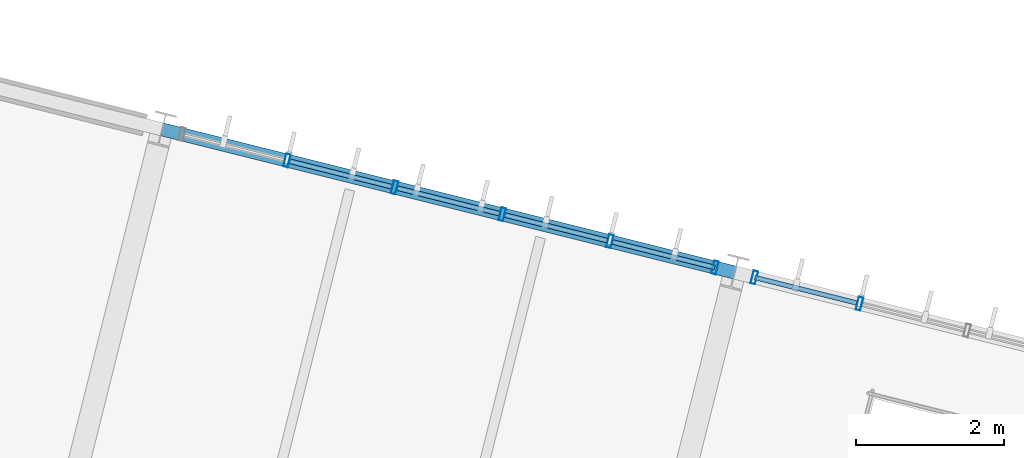
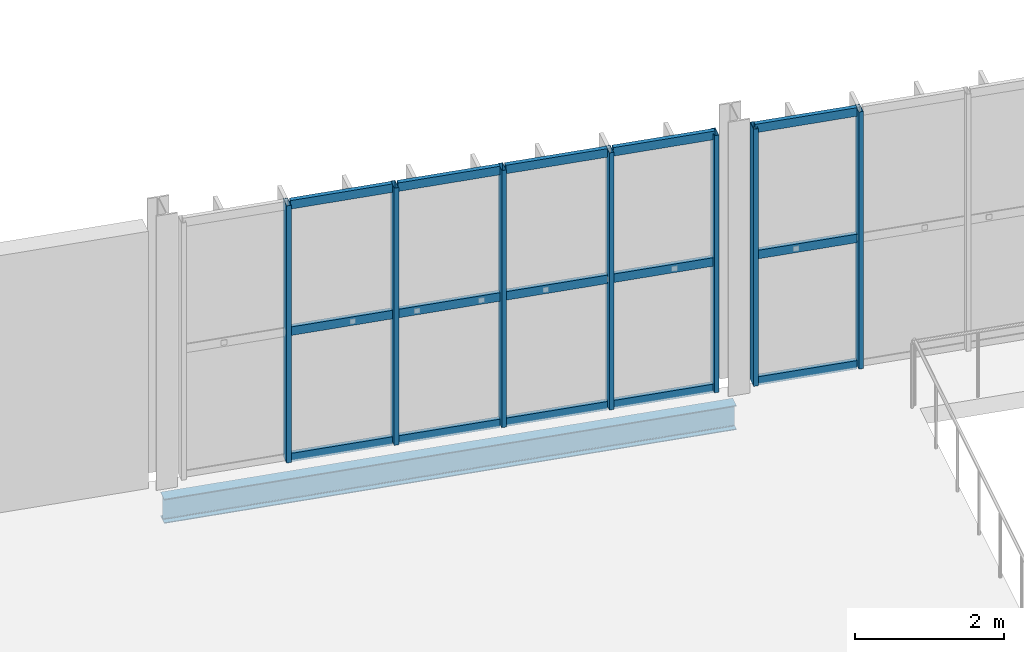
# One storey, part 82 of 152: 22 members, 1 beam, 2 elements without a shape of their own.
"""IFC4 building model written with IfcOpenShell, lengths in metres."""

from ifc_helpers import new_model, si_unit, derived_unit, direction, frame, origin, origin_2d, place, context, subcontext, project, spatial, hollow_rectangle, i_section, extrude, material, material_profile, profile_set, type_object, element, aggregate, save


model = new_model("IFC4")

# Units and contexts
model_context = context("Model", 3, precision=1e-05, world=origin(), true_north=direction((0.0, 1.0)))
body_context = subcontext(model_context, "Body", "Model", "MODEL_VIEW")
ifc_project = project(units=[si_unit("LENGTHUNIT", "METRE"), si_unit("AREAUNIT", "SQUARE_METRE"), si_unit("VOLUMEUNIT", "CUBIC_METRE"), si_unit("PLANEANGLEUNIT", "RADIAN"), si_unit("MASSUNIT", "GRAM", prefix="KILO"), si_unit("THERMODYNAMICTEMPERATUREUNIT", "KELVIN"), si_unit("TIMEUNIT", "SECOND"), derived_unit("THERMALTRANSMITTANCEUNIT", [(si_unit("MASSUNIT", "GRAM", prefix="KILO"), 1), (si_unit("THERMODYNAMICTEMPERATUREUNIT", "KELVIN"), -1), (si_unit("TIMEUNIT", "SECOND"), -3)])], contexts=[model_context])

# Site, building, storey
site_placement = place(None, origin())
site = spatial("IfcSite", under=ifc_project, at=site_placement, CompositionType="ELEMENT")
building_placement = place(site_placement, origin())
building = spatial("IfcBuilding", under=site, at=building_placement, Name="Cambertide Market Hall", CompositionType="ELEMENT")
storey_placement = place(building_placement, frame((0.0, 0.0, 5.39990234375)))
storey = spatial("IfcBuildingStorey", under=building, at=storey_placement, Name="L02", CompositionType="ELEMENT", Elevation=5.39990234375)

# Curtain wall, members
ifc_material_1 = material(Name="Marine Anodized Aluminium 6063-T6 AA25", Category="aluminium")
curtain_wall_type = type_object("IfcCurtainWallType", Name="Culinary Teaching Kitchen Curtain Wall", PredefinedType="USERDEFINED", material=ifc_material_1)
curtain_wall_1_placement = place(storey_placement, origin())
curtain_wall_1 = element("IfcCurtainWall", 1, at=curtain_wall_1_placement, inside=storey, type_object=curtain_wall_type, Name="Level 2 Curtain Wall CW-V4N-L02-2", ObjectType="UNITIZED CURTAIN WALL", PredefinedType="USERDEFINED")
ifc_material_2 = material(Name="Champagne Marine Anodized Aluminium 6063-T6 AA25", Category="aluminium")
ifc_material_profile_1 = material_profile(ifc_material_2, hollow_rectangle(XDim=0.06494140625, YDim=0.179931640625, WallThickness=0.00390625, at=origin_2d()), Name="ALU MULLION 65x180")
ifc_profile_set_1 = profile_set([ifc_material_profile_1], Name="Champagne Marine Anodized Aluminium 6063-T6 AA25")
member_type_1 = type_object("IfcMemberType", Name="Curtain Wall Mullion ALU MULLION 65x180", PredefinedType="MULLION", material=ifc_profile_set_1)
member_1_placement = place(storey_placement, frame((124.00146484375, 123.83056640625, 0.0), z_axis=(0.0, 0.0, 1.0), x_axis=(0.970142500145, -0.242535625038, 0.0)))
member_1 = element("IfcMember", 2, at=member_1_placement, type_object=member_type_1, Name="CW-V4N-L02-2 Mullion 2", PredefinedType="MULLION", context=body_context, shape_type="SweptSolid", body=[
    extrude(hollow_rectangle(XDim=0.06494140625, YDim=0.179931640625, WallThickness=0.00390625, at=origin_2d()), origin(), (0.0, 0.0, 1.0), 4.22021484375),
])
member_2_placement = place(storey_placement, frame((125.460693359375, 123.4658203125, 0.0), z_axis=(0.0, 0.0, 1.0), x_axis=(0.970142500145, -0.242535625038, 0.0)))
member_2 = element("IfcMember", 3, at=member_2_placement, type_object=member_type_1, Name="CW-V4N-L02-2 Mullion 3", PredefinedType="MULLION", context=body_context, shape_type="SweptSolid", body=[
    extrude(hollow_rectangle(XDim=0.06494140625, YDim=0.179931640625, WallThickness=0.00390625, at=origin_2d()), origin(), (0.0, 0.0, 1.0), 4.22021484375),
])
member_3_placement = place(storey_placement, frame((126.919677734375, 123.10107421875, 0.0), z_axis=(0.0, 0.0, 1.0), x_axis=(0.970142500145, -0.242535625038, 0.0)))
member_3 = element("IfcMember", 4, at=member_3_placement, type_object=member_type_1, Name="CW-V4N-L02-2 Mullion 4", PredefinedType="MULLION", context=body_context, shape_type="SweptSolid", body=[
    extrude(hollow_rectangle(XDim=0.06494140625, YDim=0.179931640625, WallThickness=0.00390625, at=origin_2d()), origin(), (0.0, 0.0, 1.0), 4.22021484375),
])
member_4_placement = place(storey_placement, frame((128.37890625, 122.736328125, 0.0), z_axis=(0.0, 0.0, 1.0), x_axis=(0.970142500145, -0.242535625038, 0.0)))
member_4 = element("IfcMember", 5, at=member_4_placement, type_object=member_type_1, Name="CW-V4N-L02-2 Mullion 5", PredefinedType="MULLION", context=body_context, shape_type="SweptSolid", body=[
    extrude(hollow_rectangle(XDim=0.06494140625, YDim=0.179931640625, WallThickness=0.00390625, at=origin_2d()), origin(), (0.0, 0.0, 1.0), 4.22021484375),
])
member_5_placement = place(storey_placement, frame((129.803955078125, 122.3798828125, 0.0), z_axis=(0.0, 0.0, 1.0), x_axis=(0.970142500145, -0.242535625038, 0.0)))
member_5 = element("IfcMember", 6, at=member_5_placement, type_object=member_type_1, Name="CW-V4N-L02-2 Mullion 6", PredefinedType="MULLION", context=body_context, shape_type="SweptSolid", body=[
    extrude(hollow_rectangle(XDim=0.06494140625, YDim=0.179931640625, WallThickness=0.00390625, at=origin_2d()), origin(), (0.0, 0.0, 1.0), 4.22021484375),
])

curtain_wall_2_placement = place(storey_placement, origin())
curtain_wall_2 = element("IfcCurtainWall", 7, at=curtain_wall_2_placement, inside=storey, type_object=curtain_wall_type, Name="Level 2 Curtain Wall CW-V4N-L02-3", ObjectType="UNITIZED CURTAIN WALL", PredefinedType="USERDEFINED")
member_6_placement = place(storey_placement, frame((130.337646484375, 122.24658203125, 0.0), z_axis=(0.0, 0.0, 1.0), x_axis=(0.970142500145, -0.242535625038, 0.0)))
member_6 = element("IfcMember", 8, at=member_6_placement, type_object=member_type_1, Name="CW-V4N-L02-3 Mullion 1", PredefinedType="MULLION", context=body_context, shape_type="SweptSolid", body=[
    extrude(hollow_rectangle(XDim=0.06494140625, YDim=0.179931640625, WallThickness=0.00390625, at=origin_2d()), origin(), (0.0, 0.0, 1.0), 4.22021484375),
])
member_7_placement = place(storey_placement, frame((131.7626953125, 121.890380859375, 0.0), z_axis=(0.0, 0.0, 1.0), x_axis=(0.970142500145, -0.242535625038, 0.0)))
member_7 = element("IfcMember", 9, at=member_7_placement, type_object=member_type_1, Name="CW-V4N-L02-3 Mullion 2", PredefinedType="MULLION", context=body_context, shape_type="SweptSolid", body=[
    extrude(hollow_rectangle(XDim=0.06494140625, YDim=0.179931640625, WallThickness=0.00390625, at=origin_2d()), origin(), (0.0, 0.0, 1.0), 4.22021484375),
])

# Member
ifc_material_3 = material(Name="Champagne Marine Anodized Aluminium 6063-T6 AA25", Category="aluminium")
ifc_material_profile_2 = material_profile(ifc_material_3, hollow_rectangle(XDim=0.06494140625, YDim=0.139892578125, WallThickness=0.00341796875, at=origin_2d()), Name="ALU TRANSOM 65x140")
ifc_profile_set_2 = profile_set([ifc_material_profile_2], Name="Champagne Marine Anodized Aluminium 6063-T6 AA25")
member_type_2 = type_object("IfcMemberType", Name="Curtain Wall Transom ALU TRANSOM 65x140", PredefinedType="USERDEFINED", material=ifc_profile_set_2)
member_8_placement = place(storey_placement, frame((124.040283203125, 123.82080078125, 0.03515625), z_axis=(0.970172746521, -0.242414607454, 0.0), x_axis=(0.242414607454, 0.970172746521, 0.0)))
member_8 = element("IfcMember", 10, at=member_8_placement, type_object=member_type_2, Name="CW-V4N-L02-2 Transom 1-2", ObjectType="TRANSOM", PredefinedType="USERDEFINED", context=body_context, shape_type="SweptSolid", body=[
    extrude(hollow_rectangle(XDim=0.06494140625, YDim=0.139892578125, WallThickness=0.00341796875, at=origin_2d()), origin(), (0.0, 0.0, 1.0), 1.424072265625),
])

member_9_placement = place(storey_placement, frame((125.49951171875, 123.4560546875, 0.03515625), z_axis=(0.970162669427, -0.242454933646, 0.0), x_axis=(0.242454933646, 0.970162669427, 0.0)))
member_9 = element("IfcMember", 11, at=member_9_placement, type_object=member_type_2, Name="CW-V4N-L02-2 Transom 1-3", ObjectType="TRANSOM", PredefinedType="USERDEFINED", context=body_context, shape_type="SweptSolid", body=[
    extrude(hollow_rectangle(XDim=0.06494140625, YDim=0.139892578125, WallThickness=0.00341796875, at=origin_2d()), origin(), (0.0, 0.0, 1.0), 1.423828125),
])

member_10_placement = place(storey_placement, frame((126.95849609375, 123.09130859375, 0.03515625), z_axis=(0.970132415085, -0.242575961715, 0.0), x_axis=(0.242575961715, 0.970132415085, 0.0)))
member_10 = element("IfcMember", 12, at=member_10_placement, type_object=member_type_2, Name="CW-V4N-L02-2 Transom 1-4", ObjectType="TRANSOM", PredefinedType="USERDEFINED", context=body_context, shape_type="SweptSolid", body=[
    extrude(hollow_rectangle(XDim=0.06494140625, YDim=0.139892578125, WallThickness=0.00341796875, at=origin_2d()), origin(), (0.0, 0.0, 1.0), 1.424072265625),
])

member_11_placement = place(storey_placement, frame((128.417724609375, 122.7265625, 0.03515625), z_axis=(0.970122324991, -0.242616311393, 0.0), x_axis=(0.242616311393, 0.970122324991, 0.0)))
member_11 = element("IfcMember", 13, at=member_11_placement, type_object=member_type_2, Name="CW-V4N-L02-2 Transom 1-5", ObjectType="TRANSOM", PredefinedType="USERDEFINED", context=body_context, shape_type="SweptSolid", body=[
    extrude(hollow_rectangle(XDim=0.06494140625, YDim=0.139892578125, WallThickness=0.00341796875, at=origin_2d()), origin(), (0.0, 0.0, 1.0), 1.423828125),
])

member_12_placement = place(storey_placement, frame((124.040283203125, 123.82080078125, 2.110107421875), z_axis=(0.970172746521, -0.242414607454, 0.0), x_axis=(0.242414607454, 0.970172746521, 0.0)))
member_12 = element("IfcMember", 14, at=member_12_placement, type_object=member_type_2, Name="CW-V4N-L02-2 Transom 2-2", ObjectType="TRANSOM", PredefinedType="USERDEFINED", context=body_context, shape_type="SweptSolid", body=[
    extrude(hollow_rectangle(XDim=0.06494140625, YDim=0.139892578125, WallThickness=0.00341796875, at=origin_2d()), origin(), (0.0, 0.0, 1.0), 1.424072265625),
])

member_13_placement = place(storey_placement, frame((125.49951171875, 123.4560546875, 2.110107421875), z_axis=(0.970162669427, -0.242454933646, 0.0), x_axis=(0.242454933646, 0.970162669427, 0.0)))
member_13 = element("IfcMember", 15, at=member_13_placement, type_object=member_type_2, Name="CW-V4N-L02-2 Transom 2-3", ObjectType="TRANSOM", PredefinedType="USERDEFINED", context=body_context, shape_type="SweptSolid", body=[
    extrude(hollow_rectangle(XDim=0.06494140625, YDim=0.139892578125, WallThickness=0.00341796875, at=origin_2d()), origin(), (0.0, 0.0, 1.0), 1.423828125),
])

member_14_placement = place(storey_placement, frame((126.95849609375, 123.09130859375, 2.110107421875), z_axis=(0.970132415085, -0.242575961715, 0.0), x_axis=(0.242575961715, 0.970132415085, 0.0)))
member_14 = element("IfcMember", 16, at=member_14_placement, type_object=member_type_2, Name="CW-V4N-L02-2 Transom 2-4", ObjectType="TRANSOM", PredefinedType="USERDEFINED", context=body_context, shape_type="SweptSolid", body=[
    extrude(hollow_rectangle(XDim=0.06494140625, YDim=0.139892578125, WallThickness=0.00341796875, at=origin_2d()), origin(), (0.0, 0.0, 1.0), 1.424072265625),
])

member_15_placement = place(storey_placement, frame((128.417724609375, 122.7265625, 2.110107421875), z_axis=(0.970122324991, -0.242616311393, 0.0), x_axis=(0.242616311393, 0.970122324991, 0.0)))
member_15 = element("IfcMember", 17, at=member_15_placement, type_object=member_type_2, Name="CW-V4N-L02-2 Transom 2-5", ObjectType="TRANSOM", PredefinedType="USERDEFINED", context=body_context, shape_type="SweptSolid", body=[
    extrude(hollow_rectangle(XDim=0.06494140625, YDim=0.139892578125, WallThickness=0.00341796875, at=origin_2d()), origin(), (0.0, 0.0, 1.0), 1.423828125),
])

member_16_placement = place(storey_placement, frame((124.040283203125, 123.82080078125, 4.18505859375), z_axis=(0.970172746521, -0.242414607454, 0.0), x_axis=(0.242414607454, 0.970172746521, 0.0)))
member_16 = element("IfcMember", 18, at=member_16_placement, type_object=member_type_2, Name="CW-V4N-L02-2 Transom 3-2", ObjectType="TRANSOM", PredefinedType="USERDEFINED", context=body_context, shape_type="SweptSolid", body=[
    extrude(hollow_rectangle(XDim=0.06494140625, YDim=0.139892578125, WallThickness=0.00341796875, at=origin_2d()), origin(), (0.0, 0.0, 1.0), 1.424072265625),
])

member_17_placement = place(storey_placement, frame((125.49951171875, 123.4560546875, 4.18505859375), z_axis=(0.970162669427, -0.242454933646, 0.0), x_axis=(0.242454933646, 0.970162669427, 0.0)))
member_17 = element("IfcMember", 19, at=member_17_placement, type_object=member_type_2, Name="CW-V4N-L02-2 Transom 3-3", ObjectType="TRANSOM", PredefinedType="USERDEFINED", context=body_context, shape_type="SweptSolid", body=[
    extrude(hollow_rectangle(XDim=0.06494140625, YDim=0.139892578125, WallThickness=0.00341796875, at=origin_2d()), origin(), (0.0, 0.0, 1.0), 1.423828125),
])

member_18_placement = place(storey_placement, frame((126.95849609375, 123.09130859375, 4.18505859375), z_axis=(0.970132415085, -0.242575961715, 0.0), x_axis=(0.242575961715, 0.970132415085, 0.0)))
member_18 = element("IfcMember", 20, at=member_18_placement, type_object=member_type_2, Name="CW-V4N-L02-2 Transom 3-4", ObjectType="TRANSOM", PredefinedType="USERDEFINED", context=body_context, shape_type="SweptSolid", body=[
    extrude(hollow_rectangle(XDim=0.06494140625, YDim=0.139892578125, WallThickness=0.00341796875, at=origin_2d()), origin(), (0.0, 0.0, 1.0), 1.424072265625),
])

member_19_placement = place(storey_placement, frame((128.417724609375, 122.7265625, 4.18505859375), z_axis=(0.970122324991, -0.242616311393, 0.0), x_axis=(0.242616311393, 0.970122324991, 0.0)))
member_19 = element("IfcMember", 21, at=member_19_placement, type_object=member_type_2, Name="CW-V4N-L02-2 Transom 3-5", ObjectType="TRANSOM", PredefinedType="USERDEFINED", context=body_context, shape_type="SweptSolid", body=[
    extrude(hollow_rectangle(XDim=0.06494140625, YDim=0.139892578125, WallThickness=0.00341796875, at=origin_2d()), origin(), (0.0, 0.0, 1.0), 1.423828125),
])

aggregate(curtain_wall_1, [member_1, member_2, member_3, member_4, member_5, member_8, member_9, member_10, member_11, member_12, member_13, member_14, member_15, member_16, member_17, member_18, member_19])

member_20_placement = place(storey_placement, frame((130.34228515625, 122.245361328125, 0.03515625), z_axis=(0.970132415085, -0.242575961715, 0.0), x_axis=(0.242575961715, 0.970132415085, 0.0)))
member_20 = element("IfcMember", 22, at=member_20_placement, type_object=member_type_2, Name="CW-V4N-L02-3 Transom 1-1", ObjectType="TRANSOM", PredefinedType="USERDEFINED", context=body_context, shape_type="SweptSolid", body=[
    extrude(hollow_rectangle(XDim=0.06494140625, YDim=0.139892578125, WallThickness=0.00341796875, at=origin_2d()), origin(), (0.0, 0.0, 1.0), 1.424072265625),
])

member_21_placement = place(storey_placement, frame((130.34228515625, 122.245361328125, 2.110107421875), z_axis=(0.970132415085, -0.242575961715, 0.0), x_axis=(0.242575961715, 0.970132415085, 0.0)))
member_21 = element("IfcMember", 23, at=member_21_placement, type_object=member_type_2, Name="CW-V4N-L02-3 Transom 2-1", ObjectType="TRANSOM", PredefinedType="USERDEFINED", context=body_context, shape_type="SweptSolid", body=[
    extrude(hollow_rectangle(XDim=0.06494140625, YDim=0.139892578125, WallThickness=0.00341796875, at=origin_2d()), origin(), (0.0, 0.0, 1.0), 1.424072265625),
])

member_22_placement = place(storey_placement, frame((130.34228515625, 122.245361328125, 4.18505859375), z_axis=(0.970132415085, -0.242575961715, 0.0), x_axis=(0.242575961715, 0.970132415085, 0.0)))
member_22 = element("IfcMember", 24, at=member_22_placement, type_object=member_type_2, Name="CW-V4N-L02-3 Transom 3-1", ObjectType="TRANSOM", PredefinedType="USERDEFINED", context=body_context, shape_type="SweptSolid", body=[
    extrude(hollow_rectangle(XDim=0.06494140625, YDim=0.139892578125, WallThickness=0.00341796875, at=origin_2d()), origin(), (0.0, 0.0, 1.0), 1.424072265625),
])

aggregate(curtain_wall_2, [member_6, member_7, member_20, member_21, member_22])

# Beam
ifc_material_4 = material(Name="Steel S355", Category="steel")
ifc_material_profile_3 = material_profile(ifc_material_4, i_section(OverallWidth=0.179931640625, OverallDepth=0.39990234375, WebThickness=0.008544921875, FlangeThickness=0.013427734375, FilletRadius=0.02099609375, at=origin_2d()), Name="IPE 400")
ifc_profile_set_3 = profile_set([ifc_material_profile_3], Name="Steel S355")
beam_type = type_object("IfcBeamType", Name="Perimeter Spandrel Beam IPE 400", PredefinedType="SPANDREL", material=ifc_profile_set_3)
beam_placement = place(storey_placement, frame((122.3095703125, 124.253662109375, -0.46484375), z_axis=(0.970138909791, -0.242549986002, 0.0), x_axis=(0.242549986002, 0.970138909791, 0.0)))
element("IfcBeam", 25, at=beam_placement, inside=storey, type_object=beam_type, Name="Level 2 Spandrel BM-V4U-L02-2-4", PredefinedType="SPANDREL", context=body_context, shape_type="SweptSolid", body=[
    extrude(i_section(OverallWidth=0.179931640625, OverallDepth=0.39990234375, WebThickness=0.008544921875, FlangeThickness=0.013427734375, FilletRadius=0.02099609375, at=origin_2d()), origin(), (0.0, 0.0, 1.0), 8.000244140625),
])

save(model, "model.ifc")
